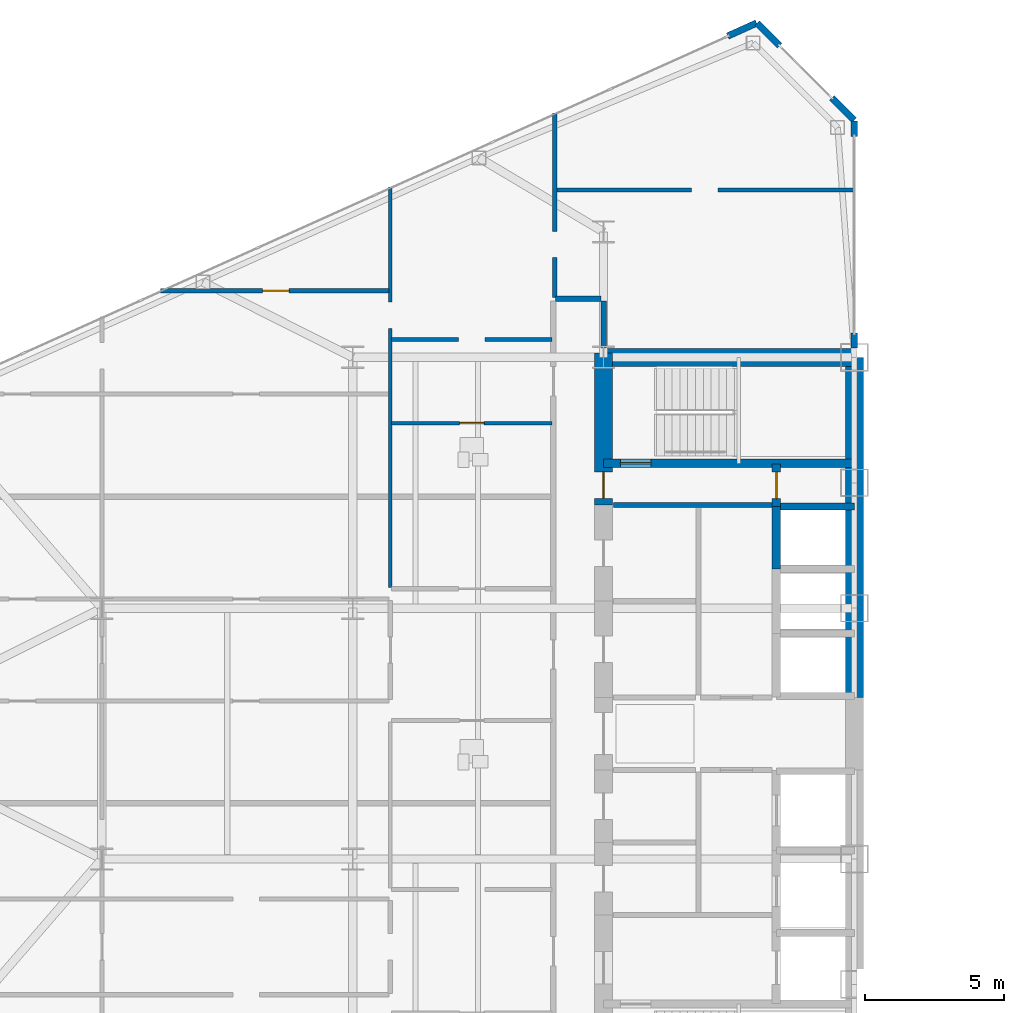
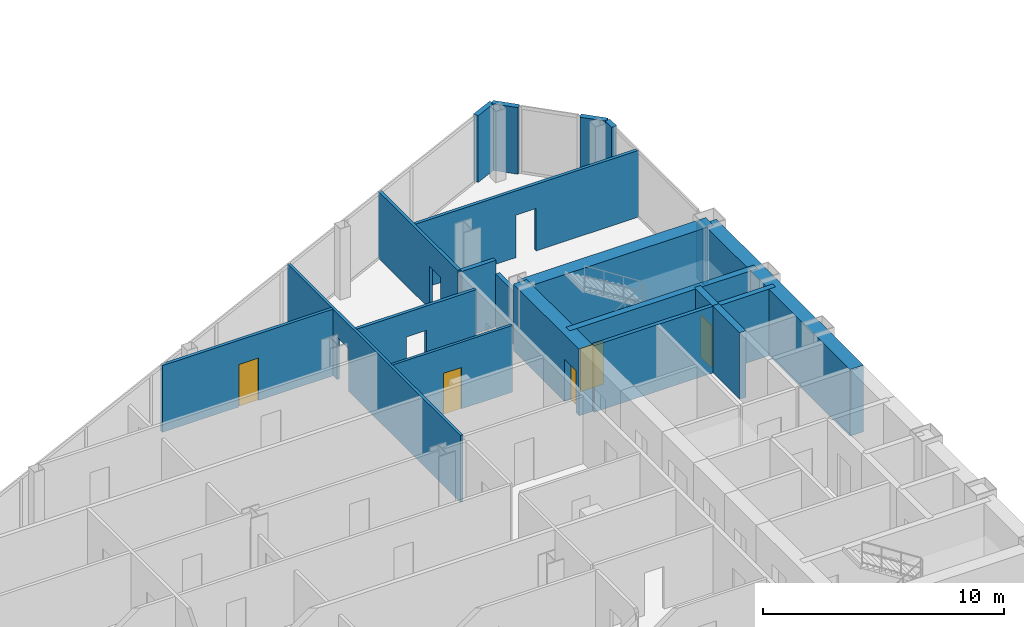
# One storey, part 21 of 27: 21 walls, 5 doors, 9 openings.
"""IFC4 building model written with IfcOpenShell, lengths in metres."""

from ifc_helpers import new_model, si_unit, direction, frame, frame_2d, origin, place, context, subcontext, project, spatial, rectangle, extrude, source, transform, mapped, material, layer, layer_set, type_object, type_shapes, element, fill, save


model = new_model("IFC4")

# Units and contexts
model_context = context("Model", 3, precision=1e-05, world=origin(), true_north=direction((0.0, 1.0)))
body_context = subcontext(model_context, "Body", "Model", "MODEL_VIEW")
ifc_project = project(units=[si_unit("LENGTHUNIT", "METRE"), si_unit("AREAUNIT", "SQUARE_METRE"), si_unit("VOLUMEUNIT", "CUBIC_METRE"), si_unit("PLANEANGLEUNIT", "RADIAN"), si_unit("MASSUNIT", "GRAM", prefix="KILO")], contexts=[model_context])

# Site, building, storey
site_placement = place(None, origin())
site = spatial("IfcSite", under=ifc_project, at=site_placement, CompositionType="ELEMENT")
building_placement = place(site_placement, origin())
building = spatial("IfcBuilding", under=site, at=building_placement, Name="Seokmaru Belvedere", CompositionType="ELEMENT")
storey_placement = place(building_placement, frame((0.0, 0.0, 96.0)))
storey = spatial("IfcBuildingStorey", under=building, at=storey_placement, Name="L25", CompositionType="ELEMENT", Elevation=96.0)

# Wall, opening
ifc_material_1 = material(Name="Fire-Rated Gypsum Shaftwall")
ifc_layer_1 = layer(ifc_material_1, 0.14990234375)
ifc_layer_set_1 = layer_set([ifc_layer_1], Name="Fire-Rated Gypsum Shaftwall")
wall_type_1 = type_object("IfcWallType", Name="Apartment Fire-Acoustic Room Partition 150", PredefinedType="PARTITIONING", material=ifc_layer_set_1)
wall_1_placement = place(storey_placement, frame((-44.10009765625, 14.139892578125, 0.0), z_axis=(0.0, 0.0, 1.0), x_axis=(1.0, 0.0, 0.0)))
wall_1 = element("IfcWall", 1, at=wall_1_placement, inside=storey, type_object=wall_type_1, Name="L25 Interior Partition 025", PredefinedType="PARTITIONING", context=body_context, shape_type="SweptSolid", body=[
    extrude(rectangle(XDim=5.75, YDim=0.14990234375, at=frame_2d((2.875, 0.0))), origin(), (0.0, 0.0, 1.0), 3.3798828125),
])
opening_1_placement = place(wall_1_placement, frame((2.39990234375, 0.0, 0.0)))
element("IfcOpeningElement", 2, at=opening_1_placement, cuts=wall_1, Name="L25 Cased Opening 026", PredefinedType="OPENING", context=body_context, shape_type="SweptSolid", body=[
    extrude(rectangle(XDim=0.949951171875, YDim=2.14990234375, at=frame_2d((0.47509765625, 1.074951171875))), frame((0.0, 0.0849609375, 0.0), z_axis=(0.0, -1.0, 0.0), x_axis=(1.0, 0.0, 0.0)), (0.0, 0.0, 1.0), 0.169921875),
])

# Wall, opening, door
wall_2_placement = place(storey_placement, frame((-52.39404296875, 15.889892578125, 0.0), z_axis=(0.0, 0.0, 1.0), x_axis=(1.0, 0.0, 0.0)))
wall_2 = element("IfcWall", 3, at=wall_2_placement, inside=storey, type_object=wall_type_1, Name="L25 Interior Partition 029", PredefinedType="PARTITIONING", context=body_context, shape_type="SweptSolid", body=[
    extrude(rectangle(XDim=8.194091796875, YDim=0.14990234375, at=frame_2d((4.09716796875, 0.0))), origin(), (0.0, 0.0, 1.0), 3.3798828125),
])
opening_2_placement = place(wall_2_placement, frame((3.664306640625, 0.0, 0.0)))
opening_2 = element("IfcOpeningElement", 4, at=opening_2_placement, cuts=wall_2, Name="Opening D05", PredefinedType="OPENING", context=body_context, shape_type="SweptSolid", body=[
    extrude(rectangle(XDim=0.949951171875, YDim=2.14990234375, at=frame_2d((0.47509765625, 1.074951171875))), frame((0.0, 0.0849609375, 0.0), z_axis=(0.0, -1.0, 0.0), x_axis=(1.0, 0.0, 0.0)), (0.0, 0.0, 1.0), 0.169921875),
])
ifc_material_2 = material(Name="Engineered White Oak Timber", Category="wood")
door_type_1 = type_object("IfcDoorType", Name="Apartment Interior Fire-Rated Oak Door 950x2150", OperationType="NOTDEFINED", PredefinedType="DOOR", material=ifc_material_2)
shared_shape_1 = source(origin(), body_context, "Body", "SweptSolid", [
    extrude(rectangle(XDim=0.949951171875, YDim=2.14990234375, at=frame_2d((0.47509765625, 1.074951171875))), frame((0.0, 0.02490234375, 0.0), z_axis=(0.0, -1.0, 0.0), x_axis=(1.0, 0.0, 0.0)), (0.0, 0.0, 1.0), 0.050048828125),
])
type_shapes(door_type_1, [shared_shape_1])
door_1_placement = place(opening_2_placement, origin())
door_1 = element("IfcDoor", 5, at=door_1_placement, inside=storey, type_object=door_type_1, Name="L25 Interior Door 030", OperationType="SINGLE_SWING_LEFT", OverallHeight=2.14990234375, OverallWidth=0.949951171875, PredefinedType="DOOR", context=body_context, shape_type="MappedRepresentation", body=[
    mapped(shared_shape_1, transform((0.0, 0.0, 0.0), scale=1.0)),
])
fill(opening_2, door_1)

# Wall, opening
wall_3_placement = place(storey_placement, frame((-38.199951171875, 19.5, 0.0), z_axis=(0.0, 0.0, 1.0), x_axis=(1.0, 0.0, 0.0)))
wall_3 = element("IfcWall", 6, at=wall_3_placement, inside=storey, type_object=wall_type_1, Name="L25 Interior Partition 030", PredefinedType="PARTITIONING", context=body_context, shape_type="SweptSolid", body=[
    extrude(rectangle(XDim=10.73486328125, YDim=0.14990234375, at=frame_2d((5.367431640625, 0.0))), origin(), (0.0, 0.0, 1.0), 3.3798828125),
])
opening_3_placement = place(wall_3_placement, frame((4.85009765625, 0.0, 0.0)))
element("IfcOpeningElement", 7, at=opening_3_placement, cuts=wall_3, Name="L25 Cased Opening 033", PredefinedType="OPENING", context=body_context, shape_type="SweptSolid", body=[
    extrude(rectangle(XDim=0.949951171875, YDim=2.14990234375, at=frame_2d((0.47509765625, 1.074951171875))), frame((0.0, 0.0849609375, 0.0), z_axis=(0.0, -1.0, 0.0), x_axis=(1.0, 0.0, 0.0)), (0.0, 0.0, 1.0), 0.169921875),
])

wall_4_placement = place(storey_placement, frame((-38.25, 15.64990234375, 0.0), z_axis=(0.0, 0.0, 1.0), x_axis=(0.0, 1.0, 0.0)))
wall_4 = element("IfcWall", 8, at=wall_4_placement, inside=storey, type_object=wall_type_1, Name="L25 Interior Partition 040", PredefinedType="PARTITIONING", context=body_context, shape_type="SweptSolid", body=[
    extrude(rectangle(XDim=6.623046875, YDim=0.14990234375, at=frame_2d((3.3115234375, 0.0))), origin(), (0.0, 0.0, 1.0), 3.3798828125),
])
opening_4_placement = place(wall_4_placement, frame((1.425048828125, 0.0, 0.0)))
element("IfcOpeningElement", 9, at=opening_4_placement, cuts=wall_4, Name="L25 Cased Opening 032", PredefinedType="OPENING", context=body_context, shape_type="SweptSolid", body=[
    extrude(rectangle(XDim=0.949951171875, YDim=2.14990234375, at=frame_2d((0.47509765625, 1.074951171875))), frame((0.0, 0.0849609375, 0.0), z_axis=(0.0, -1.0, 0.0), x_axis=(1.0, 0.0, 0.0)), (0.0, 0.0, 1.0), 0.169921875),
])

# Walls
ifc_layer_2 = layer(ifc_material_1, 0.179931640625)
ifc_layer_set_2 = layer_set([ifc_layer_2], Name="Fire-Rated Gypsum Shaftwall")
wall_type_2 = type_object("IfcWallType", Name="Core Service Fire Partition 180", PredefinedType="PARTITIONING", material=ifc_layer_set_2)
wall_5_placement = place(storey_placement, frame((-36.14990234375, 8.199951171875, 0.0), z_axis=(0.0, 0.0, 1.0), x_axis=(1.0, 0.0, 0.0)))
element("IfcWall", 10, at=wall_5_placement, inside=storey, type_object=wall_type_2, Name="L25 West Smokeproof Vestibule Partition", PredefinedType="PARTITIONING", context=body_context, shape_type="SweptSolid", body=[
    extrude(rectangle(XDim=5.699951171875, YDim=0.179931640625, at=frame_2d((2.85009765625, 0.0))), origin(), (0.0, 0.0, 1.0), 3.3798828125),
])
ifc_material_3 = material(Name="Concrete C50 (50 MPa)", Category="concrete")
ifc_layer_3 = layer(ifc_material_3, 0.25)
ifc_layer_set_3 = layer_set([ifc_layer_3], Name="Concrete C50 (50 MPa)")
wall_type_3 = type_object("IfcWallType", Name="Hoistway Transverse Concrete Divider Wall 250", PredefinedType="SHEAR", material=ifc_layer_set_3)
wall_6_placement = place(storey_placement, frame((-30.300048828125, 8.14990234375, 0.0), z_axis=(0.0, 0.0, 1.0), x_axis=(1.0, 0.0, 0.0)))
element("IfcWall", 11, at=wall_6_placement, inside=storey, type_object=wall_type_3, Name="L25 West Hoistway Divider Core Wall 7", PredefinedType="SHEAR", context=body_context, shape_type="SweptSolid", body=[
    extrude(rectangle(XDim=2.800048828125, YDim=0.25, at=frame_2d((1.39990234375, 0.0))), origin(), (0.0, 0.0, 1.0), 3.3798828125),
])
ifc_layer_4 = layer(ifc_material_1, 0.199951171875)
ifc_layer_set_4 = layer_set([ifc_layer_4], Name="Fire-Rated Gypsum Shaftwall")
wall_type_4 = type_object("IfcWallType", Name="Inter-Tenancy Fire Compartment Partition 200", PredefinedType="PARTITIONING", material=ifc_layer_set_4)
wall_7_placement = place(storey_placement, frame((-38.215087890625, 15.60009765625, 0.0), z_axis=(0.0, 0.0, 1.0), x_axis=(1.0, 0.0, 0.0)))
element("IfcWall", 12, at=wall_7_placement, inside=storey, type_object=wall_type_4, Name="L25 Interior Partition 027", PredefinedType="PARTITIONING", context=body_context, shape_type="SweptSolid", body=[
    extrude(rectangle(XDim=1.630126953125, YDim=0.199951171875, at=frame_2d((0.81494140625, 0.0))), origin(), (0.0, 0.0, 1.0), 3.3798828125),
])
wall_8_placement = place(storey_placement, frame((-36.5, 13.830078125, 0.0), z_axis=(0.0, 0.0, 1.0), x_axis=(0.0, 1.0, 0.0)))
element("IfcWall", 13, at=wall_8_placement, inside=storey, type_object=wall_type_4, Name="L25 Interior Partition 042", PredefinedType="PARTITIONING", context=body_context, shape_type="SweptSolid", body=[
    extrude(rectangle(XDim=1.684814453125, YDim=0.199951171875, at=frame_2d((0.84228515625, 0.0))), origin(), (0.0, 0.0, 1.0), 2.679931640625),
])

# Wall, opening, door
ifc_layer_5 = layer(ifc_material_3, 0.300048828125)
ifc_layer_set_5 = layer_set([ifc_layer_5], Name="Concrete C50 (50 MPa)")
wall_type_5 = type_object("IfcWallType", Name="Internal Core Stair and Hoistway Wall 300", PredefinedType="SHEAR", material=ifc_layer_set_5)
wall_9_placement = place(storey_placement, frame((-36.5, 9.699951171875, 0.0), z_axis=(0.0, 0.0, 1.0), x_axis=(1.0, 0.0, 0.0)))
wall_9 = element("IfcWall", 14, at=wall_9_placement, inside=storey, type_object=wall_type_5, Name="L25 West Stair ST-2 Enclosure Wall", PredefinedType="SHEAR", context=body_context, shape_type="SweptSolid", body=[
    extrude(rectangle(XDim=9.0, YDim=0.300048828125, at=frame_2d((4.5, 0.0))), origin(), (0.0, 0.0, 1.0), 3.3798828125),
])
opening_5_placement = place(wall_9_placement, frame((0.60009765625, 0.0, 0.0)))
opening_5 = element("IfcOpeningElement", 15, at=opening_5_placement, cuts=wall_9, Name="Opening D01", PredefinedType="OPENING", context=body_context, shape_type="SweptSolid", body=[
    extrude(rectangle(XDim=1.10009765625, YDim=2.199951171875, at=frame_2d((0.550048828125, 1.10009765625))), frame((0.0, 0.16015625, 0.0), z_axis=(0.0, -1.0, 0.0), x_axis=(1.0, 0.0, 0.0)), (0.0, 0.0, 1.0), 0.320068359375),
])
ifc_material_4 = material(Name="Fire-Rated Steel Leaf", Category="steel")
door_type_2 = type_object("IfcDoorType", Name="Special Escape Stair Smokeproof Fire Door 1100x2200", OperationType="NOTDEFINED", PredefinedType="DOOR", material=ifc_material_4)
shared_shape_2 = source(origin(), body_context, "Body", "SweptSolid", [
    extrude(rectangle(XDim=1.10009765625, YDim=2.199951171875, at=frame_2d((0.550048828125, 1.10009765625))), frame((0.0, 0.02490234375, 0.0), z_axis=(0.0, -1.0, 0.0), x_axis=(1.0, 0.0, 0.0)), (0.0, 0.0, 1.0), 0.050048828125),
])
type_shapes(door_type_2, [shared_shape_2])
door_2_placement = place(opening_5_placement, origin())
door_2 = element("IfcDoor", 16, at=door_2_placement, inside=storey, type_object=door_type_2, Name="L25 West Special Escape Stair ST-2 Door", OperationType="SINGLE_SWING_RIGHT", OverallHeight=2.199951171875, OverallWidth=1.10009765625, PredefinedType="DOOR", context=body_context, shape_type="MappedRepresentation", body=[
    mapped(shared_shape_2, transform((0.0, 0.0, 0.0), scale=1.0)),
])
fill(opening_5, door_2)

# Wall
wall_10_placement = place(storey_placement, frame((-30.300048828125, 5.89990234375, 0.0), z_axis=(0.0, 0.0, 1.0), x_axis=(0.0, 1.0, 0.0)))
element("IfcWall", 17, at=wall_10_placement, inside=storey, type_object=wall_type_5, Name="L25 West North Hoistway Wall OBS", PredefinedType="SHEAR", context=body_context, shape_type="SweptSolid", body=[
    extrude(rectangle(XDim=2.25, YDim=0.300048828125, at=frame_2d((1.125, 0.0))), origin(), (0.0, 0.0, 1.0), 3.3798828125),
])

# Wall, opening, door
wall_11_placement = place(storey_placement, frame((-30.300048828125, 8.14990234375, 0.0), z_axis=(0.0, 0.0, 1.0), x_axis=(0.0, 1.0, 0.0)))
wall_11 = element("IfcWall", 18, at=wall_11_placement, inside=storey, type_object=wall_type_5, Name="L25 West Electrical Riser Front Wall", PredefinedType="SHEAR", context=body_context, shape_type="SweptSolid", body=[
    extrude(rectangle(XDim=1.530029296875, YDim=0.300048828125, at=frame_2d((0.76513671875, 0.0))), origin(), (0.0, 0.0, 1.0), 3.3798828125),
])
opening_6_placement = place(wall_11_placement, frame((0.284912109375, 0.0, 0.0)))
opening_6 = element("IfcOpeningElement", 19, at=opening_6_placement, cuts=wall_11, Name="Opening D04", PredefinedType="OPENING", context=body_context, shape_type="SweptSolid", body=[
    extrude(rectangle(XDim=0.949951171875, YDim=2.14990234375, at=frame_2d((0.47509765625, 1.074951171875))), frame((0.0, 0.16015625, 0.0), z_axis=(0.0, -1.0, 0.0), x_axis=(1.0, 0.0, 0.0)), (0.0, 0.0, 1.0), 0.320068359375),
])
door_type_3 = type_object("IfcDoorType", Name="Core Service Room Fire Door 950x2150", OperationType="NOTDEFINED", PredefinedType="DOOR", material=ifc_material_4)
shared_shape_3 = source(origin(), body_context, "Body", "SweptSolid", [
    extrude(rectangle(XDim=0.949951171875, YDim=2.14990234375, at=frame_2d((0.47509765625, 1.074951171875))), frame((0.0, 0.02490234375, 0.0), z_axis=(0.0, -1.0, 0.0), x_axis=(1.0, 0.0, 0.0)), (0.0, 0.0, 1.0), 0.050048828125),
])
type_shapes(door_type_3, [shared_shape_3])
door_3_placement = place(opening_6_placement, origin())
door_3 = element("IfcDoor", 20, at=door_3_placement, inside=storey, type_object=door_type_3, Name="L25 West Electrical Riser Access Door", OperationType="SINGLE_SWING_LEFT", OverallHeight=2.14990234375, OverallWidth=0.949951171875, PredefinedType="DOOR", context=body_context, shape_type="MappedRepresentation", body=[
    mapped(shared_shape_3, transform((0.0, 0.0, 0.0), scale=1.0)),
])
fill(opening_6, door_3)

# Walls
ifc_material_5 = material(Name="Concrete C60 (60 MPa)", Category="concrete")
ifc_layer_6 = layer(ifc_material_5, 0.64990234375)
ifc_layer_set_6 = layer_set([ifc_layer_6], Name="Concrete C60 (60 MPa)")
wall_type_6 = type_object("IfcWallType", Name="Mid-Low Reinforced Concrete Core Wall 650", PredefinedType="SHEAR", material=ifc_layer_set_6)
wall_12_placement = place(storey_placement, frame((-27.5, 1.300048828125, 0.0), z_axis=(0.0, 0.0, 1.0), x_axis=(0.0, 1.0, 0.0)))
element("IfcWall", 21, at=wall_12_placement, inside=storey, type_object=wall_type_6, Name="L25 West Portal Spine Core Wall North", PredefinedType="SHEAR", context=body_context, shape_type="SweptSolid", body=[
    extrude(rectangle(XDim=12.199951171875, YDim=0.64990234375, at=frame_2d((6.10009765625, 0.0))), origin(), (0.0, 0.0, 1.0), 3.3798828125),
])
wall_13_placement = place(storey_placement, frame((-36.5, 13.5, 0.0), z_axis=(0.0, 0.0, 1.0), x_axis=(1.0, 0.0, 0.0)))
element("IfcWall", 22, at=wall_13_placement, inside=storey, type_object=wall_type_6, Name="L25 West North Core Wall", PredefinedType="SHEAR", context=body_context, shape_type="SweptSolid", body=[
    extrude(rectangle(XDim=9.0, YDim=0.64990234375, at=frame_2d((4.5, 0.0))), origin(), (0.0, 0.0, 1.0), 3.3798828125),
])

# Wall, opening, door
wall_14_placement = place(storey_placement, frame((-36.5, 8.199951171875, 0.0), z_axis=(0.0, 0.0, 1.0), x_axis=(0.0, 1.0, 0.0)))
wall_14 = element("IfcWall", 23, at=wall_14_placement, inside=storey, type_object=wall_type_6, Name="L25 West West Core Wall VST", PredefinedType="SHEAR", context=body_context, shape_type="SweptSolid", body=[
    extrude(rectangle(XDim=5.449951171875, YDim=0.64990234375, at=frame_2d((2.72509765625, 0.0))), origin(), (0.0, 0.0, 1.0), 3.3798828125),
])
opening_7_placement = place(wall_14_placement, frame((0.2451171875, 0.0, 0.0)))
opening_7 = element("IfcOpeningElement", 24, at=opening_7_placement, cuts=wall_14, Name="Opening D04", PredefinedType="OPENING", context=body_context, shape_type="SweptSolid", body=[
    extrude(rectangle(XDim=0.949951171875, YDim=2.14990234375, at=frame_2d((0.47509765625, 1.074951171875))), frame((0.0, 0.3349609375, 0.0), z_axis=(0.0, -1.0, 0.0), x_axis=(1.0, 0.0, 0.0)), (0.0, 0.0, 1.0), 0.669921875),
])
door_4_placement = place(opening_7_placement, frame((0.949951171875, 0.0, 0.0), z_axis=(0.0, 0.0, 1.0), x_axis=(-1.0, 0.0, 0.0)))
door_4 = element("IfcDoor", 25, at=door_4_placement, inside=storey, type_object=door_type_3, Name="L25 West Smokeproof Vestibule Door", OperationType="SINGLE_SWING_RIGHT", OverallHeight=2.14990234375, OverallWidth=0.949951171875, PredefinedType="DOOR", context=body_context, shape_type="MappedRepresentation", body=[
    mapped(shared_shape_3, transform((0.0, 0.0, 0.0), scale=1.0)),
])
fill(opening_7, door_4)

ifc_layer_7 = layer(ifc_material_1, 0.1298828125)
ifc_layer_set_7 = layer_set([ifc_layer_7], Name="Fire-Rated Gypsum Shaftwall")
wall_type_7 = type_object("IfcWallType", Name="Moisture-Resistant Fire-Rated Bathroom Partition 130", PredefinedType="PARTITIONING", material=ifc_layer_set_7)
wall_15_placement = place(storey_placement, frame((-44.10009765625, 11.139892578125, 0.0), z_axis=(0.0, 0.0, 1.0), x_axis=(1.0, 0.0, 0.0)))
wall_15 = element("IfcWall", 26, at=wall_15_placement, inside=storey, type_object=wall_type_7, Name="L25 Interior Partition 023", PredefinedType="PARTITIONING", context=body_context, shape_type="SweptSolid", body=[
    extrude(rectangle(XDim=5.75, YDim=0.1298828125, at=frame_2d((2.875, 0.0))), origin(), (0.0, 0.0, 1.0), 3.3798828125),
])
opening_8_placement = place(wall_15_placement, frame((2.43505859375, 0.0, 0.0)))
opening_8 = element("IfcOpeningElement", 27, at=opening_8_placement, cuts=wall_15, Name="Opening D06", PredefinedType="OPENING", context=body_context, shape_type="SweptSolid", body=[
    extrude(rectangle(XDim=0.8798828125, YDim=2.10009765625, at=frame_2d((0.43994140625, 1.050048828125))), frame((0.0, 0.074951171875, 0.0), z_axis=(0.0, -1.0, 0.0), x_axis=(1.0, 0.0, 0.0)), (0.0, 0.0, 1.0), 0.14990234375),
])
door_type_4 = type_object("IfcDoorType", Name="Bathroom and Restroom Fire-Rated Door 880x2100", OperationType="NOTDEFINED", PredefinedType="DOOR", material=ifc_material_2)
shared_shape_4 = source(origin(), body_context, "Body", "SweptSolid", [
    extrude(rectangle(XDim=0.8798828125, YDim=2.10009765625, at=frame_2d((0.43994140625, 1.050048828125))), frame((0.0, 0.02490234375, 0.0), z_axis=(0.0, -1.0, 0.0), x_axis=(1.0, 0.0, 0.0)), (0.0, 0.0, 1.0), 0.050048828125),
])
type_shapes(door_type_4, [shared_shape_4])
door_5_placement = place(opening_8_placement, origin())
door_5 = element("IfcDoor", 28, at=door_5_placement, inside=storey, type_object=door_type_4, Name="L25 Interior Door 025", OperationType="SINGLE_SWING_LEFT", OverallHeight=2.10009765625, OverallWidth=0.8798828125, PredefinedType="DOOR", context=body_context, shape_type="MappedRepresentation", body=[
    mapped(shared_shape_4, transform((0.0, 0.0, 0.0), scale=1.0)),
])
fill(opening_8, door_5)

# Wall, opening
wall_16_placement = place(storey_placement, frame((-44.14990234375, 5.251953125, 0.0), z_axis=(0.0, 0.0, 1.0), x_axis=(0.0, 1.0, 0.0)))
wall_16 = element("IfcWall", 29, at=wall_16_placement, inside=storey, type_object=wall_type_7, Name="L25 Interior Partition 038", PredefinedType="PARTITIONING", context=body_context, shape_type="SweptSolid", body=[
    extrude(rectangle(XDim=14.364990234375, YDim=0.1298828125, at=frame_2d((7.1826171875, 0.0))), origin(), (0.0, 0.0, 1.0), 3.3798828125),
])
opening_9_placement = place(wall_16_placement, frame((9.28955078125, 0.0, 0.0)))
element("IfcOpeningElement", 30, at=opening_9_placement, cuts=wall_16, Name="L25 Cased Opening 027", PredefinedType="OPENING", context=body_context, shape_type="SweptSolid", body=[
    extrude(rectangle(XDim=0.949951171875, YDim=2.14990234375, at=frame_2d((0.47509765625, 1.074951171875))), frame((0.0, 0.074951171875, 0.0), z_axis=(0.0, -1.0, 0.0), x_axis=(1.0, 0.0, 0.0)), (0.0, 0.0, 1.0), 0.14990234375),
])

# Walls
ifc_material_6 = material(Name="Anodised Bronze Aluminium", Category="aluminium")
ifc_layer_8 = layer(ifc_material_6, 0.239990234375)
ifc_layer_set_8 = layer_set([ifc_layer_8], Name="Anodised Bronze Aluminium")
wall_type_8 = type_object("IfcWallType", Name="Tower Corner Spandrel Closure Wall 240", PredefinedType="SOLIDWALL", material=ifc_layer_set_8)
wall_17_placement = place(storey_placement, frame((-27.5, 13.830078125, 0.0), z_axis=(0.0, 0.0, 1.0), x_axis=(0.0, 1.0, 0.0)))
element("IfcWall", 31, at=wall_17_placement, inside=storey, type_object=wall_type_8, Name="L25 W Spine Closure Pier 2A", PredefinedType="SOLIDWALL", context=body_context, shape_type="SweptSolid", body=[
    extrude(rectangle(XDim=0.5498046875, YDim=0.239990234375, at=frame_2d((0.27490234375, 0.0))), origin(), (0.0, 0.0, 1.0), 2.8798828125),
])
wall_18_placement = place(storey_placement, frame((-27.5, 21.429931640625, 0.0), z_axis=(0.0, 0.0, 1.0), x_axis=(0.0, 1.0, 0.0)))
element("IfcWall", 32, at=wall_18_placement, inside=storey, type_object=wall_type_8, Name="L25 W Spine Closure Pier 2B", PredefinedType="SOLIDWALL", context=body_context, shape_type="SweptSolid", body=[
    extrude(rectangle(XDim=0.550048828125, YDim=0.239990234375, at=frame_2d((0.27490234375, 0.0))), origin(), (0.0, 0.0, 1.0), 3.3798828125),
])
for number, where, z_axis, x_axis, name in (
    (33, (-27.507080078125, 22.007080078125, 0.0), (0.0, 0.0, 1.0), (-0.707106781187, 0.707106781187, 0.0), "L25 W Corner Closure Pier 2A"),
    (34, (-30.186767578125, 24.686767578125, 0.0), (0.0, 0.0, 1.0), (-0.707106781187, 0.707106781187, 0.0), "L25 W Corner Closure Pier 2B"),
):
    element("IfcWall", number, at=place(storey_placement, frame(where, z_axis=z_axis, x_axis=x_axis)), inside=storey, type_object=wall_type_8, Name=name, PredefinedType="SOLIDWALL", context=body_context, shape_type="SweptSolid", body=[
        extrude(rectangle(XDim=1.14013671875, YDim=0.239990234375, at=frame_2d((0.570068359375, 0.0))), origin(), (0.0, 0.0, 1.0), 3.3798828125),
    ])
wall_19_placement = place(storey_placement, frame((-31.009033203125, 25.495849609375, 0.0), z_axis=(0.0, 0.0, 1.0), x_axis=(-0.911929519623, -0.410346866979, 0.0)))
element("IfcWall", 35, at=wall_19_placement, inside=storey, type_object=wall_type_8, Name="L25 W Corner Closure Pier 3A", PredefinedType="SOLIDWALL", context=body_context, shape_type="SweptSolid", body=[
    extrude(rectangle(XDim=1.139892578125, YDim=0.239990234375, at=frame_2d((0.56982421875, 0.0))), origin(), (0.0, 0.0, 1.0), 3.3798828125),
])

save(model, "model.ifc")
